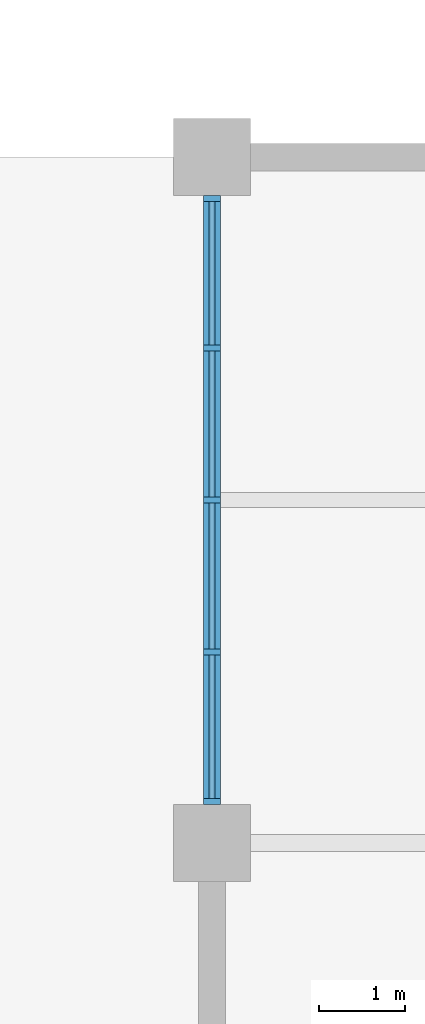
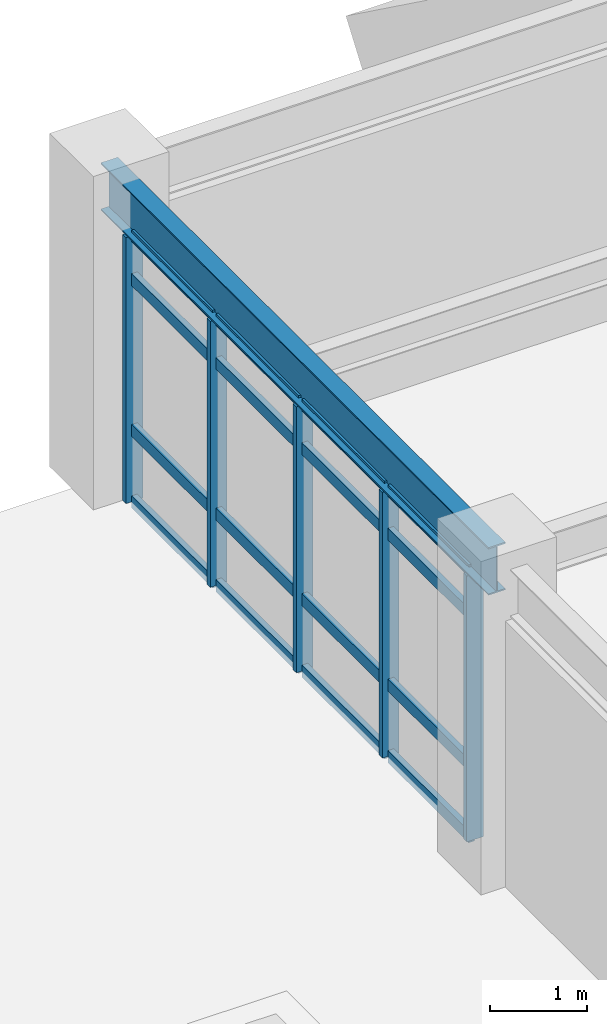
# One storey, part 16 of 118: 21 members, 1 beam, 1 element without a shape of its own.
"""IFC4 building model written with IfcOpenShell, lengths in metres."""

from ifc_helpers import new_model, si_unit, direction, frame, origin, origin_2d, place, context, subcontext, project, spatial, rectangle, i_section, extrude, material, layer, layer_set, material_profile, profile_set, type_object, element, aggregate, save


model = new_model("IFC4")

# Units and contexts
model_context = context("Model", 3, precision=1e-05, world=origin(), true_north=direction((0.0, 1.0)))
body_context = subcontext(model_context, "Body", "Model", "MODEL_VIEW")
ifc_project = project(units=[si_unit("LENGTHUNIT", "METRE"), si_unit("AREAUNIT", "SQUARE_METRE"), si_unit("VOLUMEUNIT", "CUBIC_METRE"), si_unit("PLANEANGLEUNIT", "RADIAN"), si_unit("MASSUNIT", "GRAM", prefix="KILO")], contexts=[model_context])

# Site, building, storey
site_placement = place(None, origin())
site = spatial("IfcSite", under=ifc_project, at=site_placement, CompositionType="ELEMENT")
building_placement = place(site_placement, origin())
building = spatial("IfcBuilding", under=site, at=building_placement, Name="Haebicheon Civic Stadium", CompositionType="ELEMENT")
storey_placement = place(building_placement, frame((0.0, 0.0, 14.39990234375)))
storey = spatial("IfcBuildingStorey", under=building, at=storey_placement, Name="L04", CompositionType="ELEMENT", Elevation=14.39990234375)

# Curtain wall, members
ifc_material_1 = material(Name="Anodised aluminium and laminated glass", Category="aluminium")
ifc_layer = layer(ifc_material_1, 0.179931640625, Name="Anodised aluminium and laminated glass")
ifc_layer_set = layer_set([ifc_layer], Name="Anodised aluminium and laminated glass")
curtain_wall_type = type_object("IfcCurtainWallType", Name="CW-7100x3350", PredefinedType="NOTDEFINED", material=ifc_layer_set)
curtain_wall_placement = place(storey_placement, origin())
curtain_wall = element("IfcCurtainWall", 1, at=curtain_wall_placement, inside=storey, type_object=curtain_wall_type, material=ifc_layer_set, Name="L04 unitised curtain wall 125", PredefinedType="NOTDEFINED")
ifc_material_2 = material(Name="Anodised aluminium 6063-T6", Category="aluminium")
ifc_material_profile_1 = material_profile(ifc_material_2, rectangle(XDim=0.070068359375, YDim=0.199951171875, at=origin_2d()), Name="ALU-MULL-70x200")
ifc_profile_set_1 = profile_set([ifc_material_profile_1], Name="Anodised aluminium 6063-T6")
member_type_1 = type_object("IfcMemberType", Name="CWM-200x70", PredefinedType="MULLION", material=ifc_profile_set_1)
member_1_placement = place(storey_placement, frame((72.0, 24.485107421875, 0.0), z_axis=(0.0, 0.0, 1.0), x_axis=(0.0, 1.0, 0.0)))
member_1 = element("IfcMember", 2, at=member_1_placement, type_object=member_type_1, material=ifc_profile_set_1, Name="CW-L04-125 vertical mullion 1", PredefinedType="MULLION", context=body_context, shape_type="SweptSolid", body=[
    extrude(rectangle(XDim=0.070068359375, YDim=0.199951171875, at=origin_2d()), origin(), (0.0, 0.0, 1.0), 3.35009765625),
])
member_2_placement = place(storey_placement, frame((72.0, 26.22509765625, 0.0), z_axis=(0.0, 0.0, 1.0), x_axis=(0.0, 1.0, 0.0)))
member_2 = element("IfcMember", 3, at=member_2_placement, type_object=member_type_1, material=ifc_profile_set_1, Name="CW-L04-125 vertical mullion 2", PredefinedType="MULLION", context=body_context, shape_type="SweptSolid", body=[
    extrude(rectangle(XDim=0.070068359375, YDim=0.199951171875, at=origin_2d()), origin(), (0.0, 0.0, 1.0), 3.35009765625),
])
member_3_placement = place(storey_placement, frame((72.0, 28.0, 0.0), z_axis=(0.0, 0.0, 1.0), x_axis=(0.0, 1.0, 0.0)))
member_3 = element("IfcMember", 4, at=member_3_placement, type_object=member_type_1, material=ifc_profile_set_1, Name="CW-L04-125 vertical mullion 3", PredefinedType="MULLION", context=body_context, shape_type="SweptSolid", body=[
    extrude(rectangle(XDim=0.070068359375, YDim=0.199951171875, at=origin_2d()), origin(), (0.0, 0.0, 1.0), 3.35009765625),
])
member_4_placement = place(storey_placement, frame((72.0, 29.77490234375, 0.0), z_axis=(0.0, 0.0, 1.0), x_axis=(0.0, 1.0, 0.0)))
member_4 = element("IfcMember", 5, at=member_4_placement, type_object=member_type_1, material=ifc_profile_set_1, Name="CW-L04-125 vertical mullion 4", PredefinedType="MULLION", context=body_context, shape_type="SweptSolid", body=[
    extrude(rectangle(XDim=0.070068359375, YDim=0.199951171875, at=origin_2d()), origin(), (0.0, 0.0, 1.0), 3.35009765625),
])
member_5_placement = place(storey_placement, frame((72.0, 31.514892578125, 0.0), z_axis=(0.0, 0.0, 1.0), x_axis=(0.0, 1.0, 0.0)))
member_5 = element("IfcMember", 6, at=member_5_placement, type_object=member_type_1, material=ifc_profile_set_1, Name="CW-L04-125 vertical mullion 5", PredefinedType="MULLION", context=body_context, shape_type="SweptSolid", body=[
    extrude(rectangle(XDim=0.070068359375, YDim=0.199951171875, at=origin_2d()), origin(), (0.0, 0.0, 1.0), 3.35009765625),
])
ifc_material_3 = material(Name="Anodised aluminium 6063-T6", Category="aluminium")
ifc_material_profile_2 = material_profile(ifc_material_3, rectangle(XDim=0.070068359375, YDim=0.14990234375, at=origin_2d()), Name="ALU-TRAN-70x150")
ifc_profile_set_2 = profile_set([ifc_material_profile_2], Name="Anodised aluminium 6063-T6")
member_type_2 = type_object("IfcMemberType", Name="CWT-150x70", PredefinedType="NOTDEFINED", material=ifc_profile_set_2)
member_6_placement = place(storey_placement, frame((72.0, 24.52001953125, 0.0), z_axis=(0.0, 1.0, 0.0), x_axis=(-1.0, 0.0, 0.0)))
member_6 = element("IfcMember", 7, at=member_6_placement, type_object=member_type_2, material=ifc_profile_set_2, Name="CW-L04-125 horizontal transom 1.1", ObjectType="TRANSOM", PredefinedType="USERDEFINED", context=body_context, shape_type="SweptSolid", body=[
    extrude(rectangle(XDim=0.070068359375, YDim=0.14990234375, at=origin_2d()), origin(), (0.0, 0.0, 1.0), 1.669921875),
])
member_7_placement = place(storey_placement, frame((72.0, 24.52001953125, 0.900146484375), z_axis=(0.0, 1.0, 0.0), x_axis=(-1.0, 0.0, 0.0)))
member_7 = element("IfcMember", 8, at=member_7_placement, type_object=member_type_2, material=ifc_profile_set_2, Name="CW-L04-125 horizontal transom 1.2", ObjectType="TRANSOM", PredefinedType="USERDEFINED", context=body_context, shape_type="SweptSolid", body=[
    extrude(rectangle(XDim=0.070068359375, YDim=0.14990234375, at=origin_2d()), origin(), (0.0, 0.0, 1.0), 1.669921875),
])
member_8_placement = place(storey_placement, frame((72.0, 24.52001953125, 2.800048828125), z_axis=(0.0, 1.0, 0.0), x_axis=(-1.0, 0.0, 0.0)))
member_8 = element("IfcMember", 9, at=member_8_placement, type_object=member_type_2, material=ifc_profile_set_2, Name="CW-L04-125 horizontal transom 1.3", ObjectType="TRANSOM", PredefinedType="USERDEFINED", context=body_context, shape_type="SweptSolid", body=[
    extrude(rectangle(XDim=0.070068359375, YDim=0.14990234375, at=origin_2d()), origin(), (0.0, 0.0, 1.0), 1.669921875),
])
member_9_placement = place(storey_placement, frame((72.0, 24.52001953125, 3.35009765625), z_axis=(0.0, 1.0, 0.0), x_axis=(-1.0, 0.0, 0.0)))
member_9 = element("IfcMember", 10, at=member_9_placement, type_object=member_type_2, material=ifc_profile_set_2, Name="CW-L04-125 horizontal transom 1.4", ObjectType="TRANSOM", PredefinedType="USERDEFINED", context=body_context, shape_type="SweptSolid", body=[
    extrude(rectangle(XDim=0.070068359375, YDim=0.14990234375, at=origin_2d()), origin(), (0.0, 0.0, 1.0), 1.669921875),
])
member_10_placement = place(storey_placement, frame((72.0, 26.260009765625, 0.0), z_axis=(0.0, 1.0, 0.0), x_axis=(-1.0, 0.0, 0.0)))
member_10 = element("IfcMember", 11, at=member_10_placement, type_object=member_type_2, material=ifc_profile_set_2, Name="CW-L04-125 horizontal transom 2.1", ObjectType="TRANSOM", PredefinedType="USERDEFINED", context=body_context, shape_type="SweptSolid", body=[
    extrude(rectangle(XDim=0.070068359375, YDim=0.14990234375, at=origin_2d()), origin(), (0.0, 0.0, 1.0), 1.705078125),
])
member_11_placement = place(storey_placement, frame((72.0, 26.260009765625, 0.900146484375), z_axis=(0.0, 1.0, 0.0), x_axis=(-1.0, 0.0, 0.0)))
member_11 = element("IfcMember", 12, at=member_11_placement, type_object=member_type_2, material=ifc_profile_set_2, Name="CW-L04-125 horizontal transom 2.2", ObjectType="TRANSOM", PredefinedType="USERDEFINED", context=body_context, shape_type="SweptSolid", body=[
    extrude(rectangle(XDim=0.070068359375, YDim=0.14990234375, at=origin_2d()), origin(), (0.0, 0.0, 1.0), 1.705078125),
])
member_12_placement = place(storey_placement, frame((72.0, 26.260009765625, 2.800048828125), z_axis=(0.0, 1.0, 0.0), x_axis=(-1.0, 0.0, 0.0)))
member_12 = element("IfcMember", 13, at=member_12_placement, type_object=member_type_2, material=ifc_profile_set_2, Name="CW-L04-125 horizontal transom 2.3", ObjectType="TRANSOM", PredefinedType="USERDEFINED", context=body_context, shape_type="SweptSolid", body=[
    extrude(rectangle(XDim=0.070068359375, YDim=0.14990234375, at=origin_2d()), origin(), (0.0, 0.0, 1.0), 1.705078125),
])
member_13_placement = place(storey_placement, frame((72.0, 26.260009765625, 3.35009765625), z_axis=(0.0, 1.0, 0.0), x_axis=(-1.0, 0.0, 0.0)))
member_13 = element("IfcMember", 14, at=member_13_placement, type_object=member_type_2, material=ifc_profile_set_2, Name="CW-L04-125 horizontal transom 2.4", ObjectType="TRANSOM", PredefinedType="USERDEFINED", context=body_context, shape_type="SweptSolid", body=[
    extrude(rectangle(XDim=0.070068359375, YDim=0.14990234375, at=origin_2d()), origin(), (0.0, 0.0, 1.0), 1.705078125),
])
member_14_placement = place(storey_placement, frame((72.0, 28.034912109375, 0.0), z_axis=(0.0, 1.0, 0.0), x_axis=(-1.0, 0.0, 0.0)))
member_14 = element("IfcMember", 15, at=member_14_placement, type_object=member_type_2, material=ifc_profile_set_2, Name="CW-L04-125 horizontal transom 3.1", ObjectType="TRANSOM", PredefinedType="USERDEFINED", context=body_context, shape_type="SweptSolid", body=[
    extrude(rectangle(XDim=0.070068359375, YDim=0.14990234375, at=origin_2d()), origin(), (0.0, 0.0, 1.0), 1.705078125),
])
member_15_placement = place(storey_placement, frame((72.0, 28.034912109375, 0.900146484375), z_axis=(0.0, 1.0, 0.0), x_axis=(-1.0, 0.0, 0.0)))
member_15 = element("IfcMember", 16, at=member_15_placement, type_object=member_type_2, material=ifc_profile_set_2, Name="CW-L04-125 horizontal transom 3.2", ObjectType="TRANSOM", PredefinedType="USERDEFINED", context=body_context, shape_type="SweptSolid", body=[
    extrude(rectangle(XDim=0.070068359375, YDim=0.14990234375, at=origin_2d()), origin(), (0.0, 0.0, 1.0), 1.705078125),
])
member_16_placement = place(storey_placement, frame((72.0, 28.034912109375, 2.800048828125), z_axis=(0.0, 1.0, 0.0), x_axis=(-1.0, 0.0, 0.0)))
member_16 = element("IfcMember", 17, at=member_16_placement, type_object=member_type_2, material=ifc_profile_set_2, Name="CW-L04-125 horizontal transom 3.3", ObjectType="TRANSOM", PredefinedType="USERDEFINED", context=body_context, shape_type="SweptSolid", body=[
    extrude(rectangle(XDim=0.070068359375, YDim=0.14990234375, at=origin_2d()), origin(), (0.0, 0.0, 1.0), 1.705078125),
])
member_17_placement = place(storey_placement, frame((72.0, 28.034912109375, 3.35009765625), z_axis=(0.0, 1.0, 0.0), x_axis=(-1.0, 0.0, 0.0)))
member_17 = element("IfcMember", 18, at=member_17_placement, type_object=member_type_2, material=ifc_profile_set_2, Name="CW-L04-125 horizontal transom 3.4", ObjectType="TRANSOM", PredefinedType="USERDEFINED", context=body_context, shape_type="SweptSolid", body=[
    extrude(rectangle(XDim=0.070068359375, YDim=0.14990234375, at=origin_2d()), origin(), (0.0, 0.0, 1.0), 1.705078125),
])
member_18_placement = place(storey_placement, frame((72.0, 29.81005859375, 0.0), z_axis=(0.0, 1.0, 0.0), x_axis=(-1.0, 0.0, 0.0)))
member_18 = element("IfcMember", 19, at=member_18_placement, type_object=member_type_2, material=ifc_profile_set_2, Name="CW-L04-125 horizontal transom 4.1", ObjectType="TRANSOM", PredefinedType="USERDEFINED", context=body_context, shape_type="SweptSolid", body=[
    extrude(rectangle(XDim=0.070068359375, YDim=0.14990234375, at=origin_2d()), origin(), (0.0, 0.0, 1.0), 1.669921875),
])
member_19_placement = place(storey_placement, frame((72.0, 29.81005859375, 0.900146484375), z_axis=(0.0, 1.0, 0.0), x_axis=(-1.0, 0.0, 0.0)))
member_19 = element("IfcMember", 20, at=member_19_placement, type_object=member_type_2, material=ifc_profile_set_2, Name="CW-L04-125 horizontal transom 4.2", ObjectType="TRANSOM", PredefinedType="USERDEFINED", context=body_context, shape_type="SweptSolid", body=[
    extrude(rectangle(XDim=0.070068359375, YDim=0.14990234375, at=origin_2d()), origin(), (0.0, 0.0, 1.0), 1.669921875),
])
member_20_placement = place(storey_placement, frame((72.0, 29.81005859375, 2.800048828125), z_axis=(0.0, 1.0, 0.0), x_axis=(-1.0, 0.0, 0.0)))
member_20 = element("IfcMember", 21, at=member_20_placement, type_object=member_type_2, material=ifc_profile_set_2, Name="CW-L04-125 horizontal transom 4.3", ObjectType="TRANSOM", PredefinedType="USERDEFINED", context=body_context, shape_type="SweptSolid", body=[
    extrude(rectangle(XDim=0.070068359375, YDim=0.14990234375, at=origin_2d()), origin(), (0.0, 0.0, 1.0), 1.669921875),
])
member_21_placement = place(storey_placement, frame((72.0, 29.81005859375, 3.35009765625), z_axis=(0.0, 1.0, 0.0), x_axis=(-1.0, 0.0, 0.0)))
member_21 = element("IfcMember", 22, at=member_21_placement, type_object=member_type_2, material=ifc_profile_set_2, Name="CW-L04-125 horizontal transom 4.4", ObjectType="TRANSOM", PredefinedType="USERDEFINED", context=body_context, shape_type="SweptSolid", body=[
    extrude(rectangle(XDim=0.070068359375, YDim=0.14990234375, at=origin_2d()), origin(), (0.0, 0.0, 1.0), 1.669921875),
])
aggregate(curtain_wall, [member_1, member_2, member_3, member_4, member_5, member_6, member_7, member_8, member_9, member_10, member_11, member_12, member_13, member_14, member_15, member_16, member_17, member_18, member_19, member_20, member_21])

# Beam
ifc_material_4 = material(Name="Steel SM355 (S355)", Category="steel")
ifc_material_profile_3 = material_profile(ifc_material_4, i_section(OverallWidth=0.199951171875, OverallDepth=0.60009765625, WebThickness=0.010986328125, FlangeThickness=0.01708984375, at=origin_2d()), Name="H-600x200x11x17")
ifc_profile_set_3 = profile_set([ifc_material_profile_3], Name="Steel SM355 (S355)")
beam_type = type_object("IfcBeamType", Name="SPD-ST-H600B", PredefinedType="SPANDREL", material=ifc_profile_set_3)
beam_placement = place(storey_placement, frame((72.0, 24.0, 3.68017578125), z_axis=(0.0, 1.0, 0.0), x_axis=(-1.0, 0.0, 0.0)))
element("IfcBeam", 23, at=beam_placement, inside=storey, type_object=beam_type, material=ifc_profile_set_3, Name="L04 girder 10/D-E", PredefinedType="SPANDREL", context=body_context, shape_type="SweptSolid", body=[
    extrude(i_section(OverallWidth=0.199951171875, OverallDepth=0.60009765625, WebThickness=0.010986328125, FlangeThickness=0.01708984375, at=origin_2d()), origin(), (0.0, 0.0, 1.0), 8.0),
])

save(model, "model.ifc")
